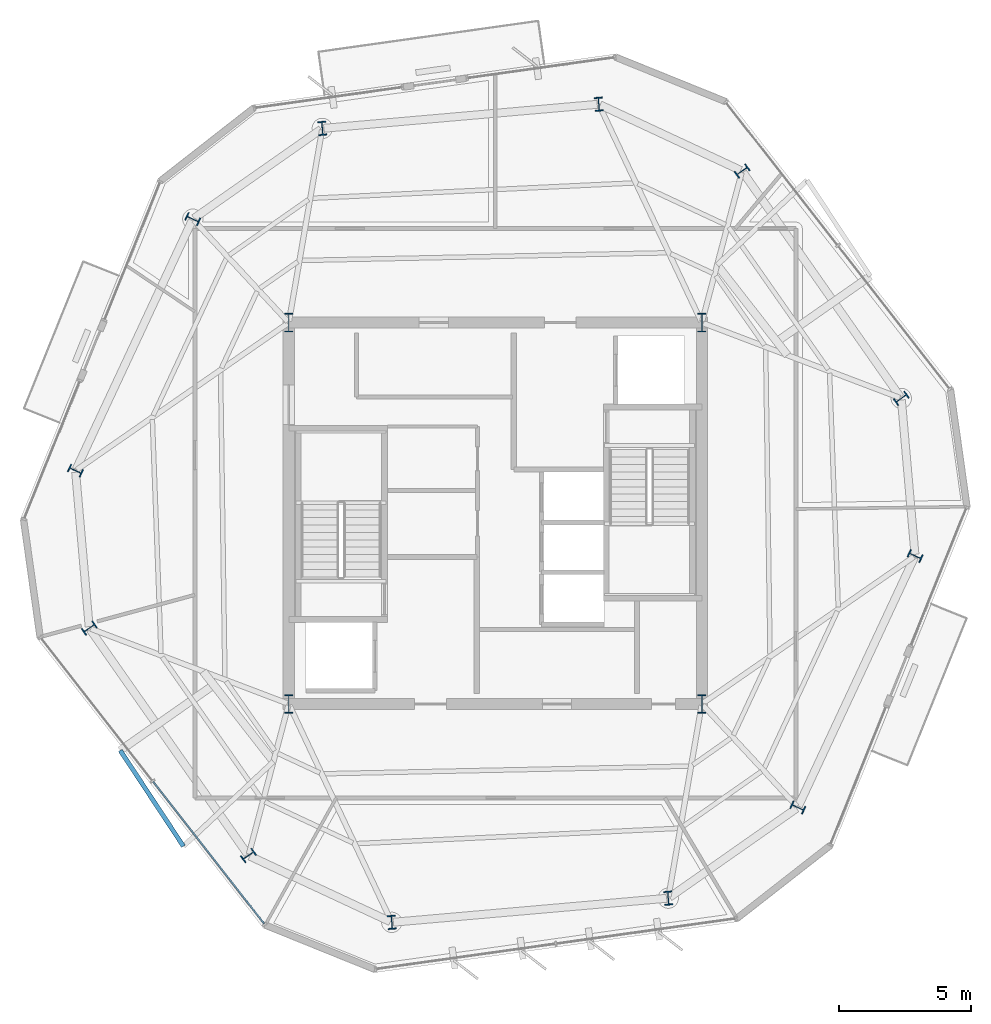
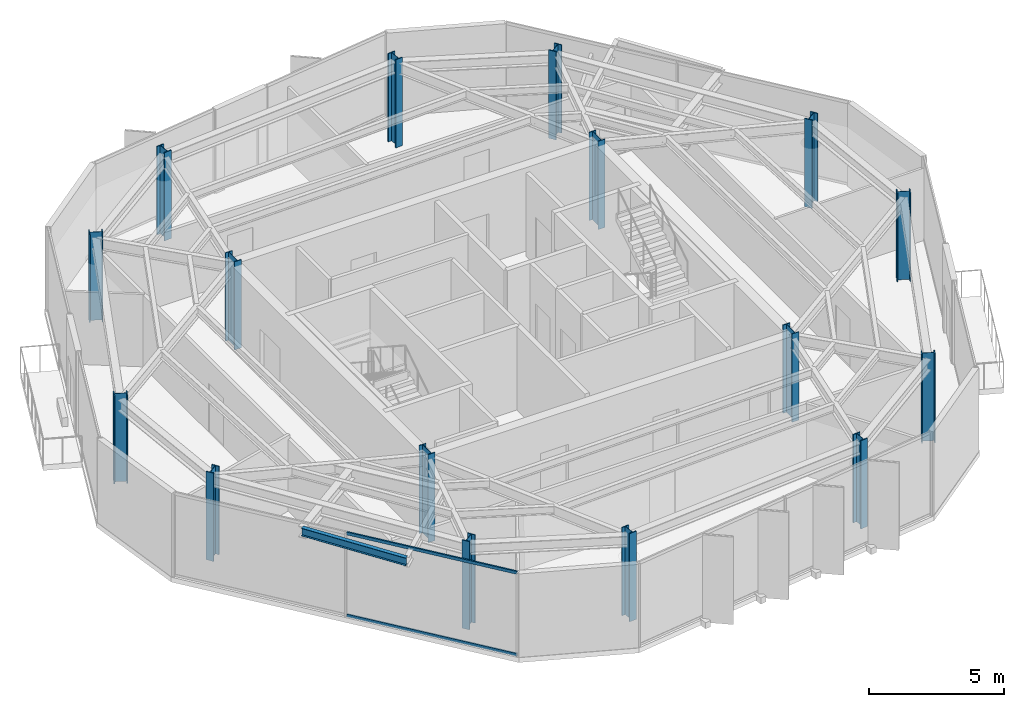
# One storey, part 1 of 11: 16 columns, 2 members, 1 beam, 1 element without a shape of its own.
"""IFC4 building model written with IfcOpenShell, lengths in metres."""

import ifcopenshell
import ifcopenshell.guid

model = None  # the IFC model being written
_history = None  # IfcOwnerHistory: only IFC2X3 demands one
_inside = {}  # id of a spatial element -> (the spatial element, [elements in it])
_under = {}  # id of a project, library or spatial element -> (it, [spatial elements below it])
_declared = {}  # id of a project -> (the project, [libraries it declares])
_typed = {}  # id of a type object -> (the type object, [elements of that type])
_made_of = {}  # id of a material, layer set ... -> (it, [elements and type objects made of it])


def new_model(schema):
    """Start an empty IFC model of exactly this schema.

    Asked for "IFC4X3", IfcOpenShell would pick the latest addendum, in which some entities
    have other attributes; the version numbers below select the first issue.
    IFC2X3 requires an IfcOwnerHistory on every rooted entity: one is made here for all.
    """
    global model, _history
    if schema == "IFC4X3":
        model = ifcopenshell.file(schema_version=(4, 3, 0, 0))
    else:
        model = ifcopenshell.file(schema=schema)
    _inside.clear()
    _under.clear()
    _declared.clear()
    _typed.clear()
    _made_of.clear()
    _history = None
    if model.schema == "IFC2X3":
        org = make("IfcOrganization", Name="unknown")
        user = make(
            "IfcPersonAndOrganization",
            ThePerson=make("IfcPerson", FamilyName="unknown"),
            TheOrganization=org,
        )
        app = make(
            "IfcApplication",
            ApplicationDeveloper=org,
            Version="unknown",
            ApplicationFullName="unknown",
            ApplicationIdentifier="unknown",
        )
        _history = make(
            "IfcOwnerHistory",
            OwningUser=user,
            OwningApplication=app,
            ChangeAction="ADDED",
            CreationDate=0,
        )
    return model


def make(cls, **values):
    """One entity of the class cls with the attributes given. An attribute that is None is left unset."""
    return model.create_entity(
        cls, **{name: value for name, value in values.items() if value is not None}
    )


def rooted(cls, **values):
    """An entity with a GlobalId (a new one), such as an element, a storey or a relation."""
    return make(cls, GlobalId=ifcopenshell.guid.new(), OwnerHistory=_history, **values)


def si_unit(unit_type, name, prefix=None):
    """IfcSIUnit, for example si_unit("LENGTHUNIT", "METRE", prefix="MILLI")."""
    return make("IfcSIUnit", UnitType=unit_type, Prefix=prefix, Name=name)


def assignment(units):
    """IfcUnitAssignment: the units of a project."""
    return None if units is None else make("IfcUnitAssignment", Units=units)


def point(xyz):
    """IfcCartesianPoint."""
    return None if xyz is None else make("IfcCartesianPoint", Coordinates=xyz)


def direction(xyz):
    """IfcDirection."""
    return None if xyz is None else make("IfcDirection", DirectionRatios=xyz)


def frame(location, z_axis=None, x_axis=None):
    """IfcAxis2Placement3D, a coordinate frame: its origin and axes. An axis left out is left unset."""
    return make(
        "IfcAxis2Placement3D",
        Location=point(location),
        Axis=direction(z_axis),
        RefDirection=direction(x_axis),
    )


def frame_2d(location, x_axis=None):
    """IfcAxis2Placement2D, a coordinate frame in the plane: its origin and x axis."""
    return make(
        "IfcAxis2Placement2D", Location=point(location), RefDirection=direction(x_axis)
    )


def origin():
    """The frame at (0, 0, 0) with its axes left unset."""
    return frame((0.0, 0.0, 0.0))


def origin_2d():
    """The frame at (0, 0) in the plane with its x axis left unset."""
    return frame_2d((0.0, 0.0))


def place(relative_to, where):
    """IfcLocalPlacement: puts the frame where relative to a parent placement (None: the world)."""
    return make(
        "IfcLocalPlacement", PlacementRelTo=relative_to, RelativePlacement=where
    )


def context(
    kind, dimensions, precision=None, world=None, true_north=None, identifier=None
):
    """IfcGeometricRepresentationContext, for example the 3D "Model" context."""
    return make(
        "IfcGeometricRepresentationContext",
        ContextIdentifier=identifier,
        ContextType=kind,
        CoordinateSpaceDimension=dimensions,
        Precision=precision,
        WorldCoordinateSystem=world,
        TrueNorth=true_north,
    )


def subcontext(parent, identifier, kind, view, scale=None):
    """IfcGeometricRepresentationSubContext, for example "Body" below "Model"."""
    return make(
        "IfcGeometricRepresentationSubContext",
        ContextIdentifier=identifier,
        ContextType=kind,
        ParentContext=parent,
        TargetScale=scale,
        TargetView=view,
    )


def project(units=None, contexts=None):
    """IfcProject with its units and contexts."""
    return rooted(
        "IfcProject",
        Name="project",
        RepresentationContexts=contexts,
        UnitsInContext=assignment(units),
    )


def spatial(cls, under=None, at=None, **own):
    """A site, building, storey or space (cls), placed at a placement, below another one or the project."""
    s = rooted(cls, ObjectPlacement=at, **own)
    if under is not None:
        _under.setdefault(under.id(), (under, []))[1].append(s)
    return s


def profile(cls, at=None, kind="AREA", **sizes):
    """A parametric profile (cls). Its sizes go by their IFC names, for example OverallWidth=200.0."""
    return make(cls, ProfileType=kind, Position=at, **sizes)


def rectangle(**sizes):
    """IfcRectangleProfileDef."""
    return profile("IfcRectangleProfileDef", **sizes)


def i_section(**sizes):
    """IfcIShapeProfileDef."""
    return profile("IfcIShapeProfileDef", **sizes)


def extrude(swept, where, along, depth):
    """IfcExtrudedAreaSolid: the profile swept, set in the frame where, extruded along a direction by depth."""
    return make(
        "IfcExtrudedAreaSolid",
        SweptArea=swept,
        Position=where,
        ExtrudedDirection=direction(along),
        Depth=depth,
    )


def shape(context_of_items, identifier, shape_type, items):
    """IfcShapeRepresentation: the items that make up one representation, for example the "Body"."""
    return make(
        "IfcShapeRepresentation",
        ContextOfItems=context_of_items,
        RepresentationIdentifier=identifier,
        RepresentationType=shape_type,
        Items=items,
    )


def material(Name=None, Category=None):
    """IfcMaterial."""
    return make("IfcMaterial", Name=Name, Category=Category)


def layer(
    of_material, thickness, ventilated=None, Name=None, Category=None, Priority=None
):
    """IfcMaterialLayer: one layer of a wall or slab, of a material (None: an air gap)."""
    return make(
        "IfcMaterialLayer",
        Material=of_material,
        LayerThickness=thickness,
        IsVentilated=ventilated,
        Name=Name,
        Category=Category,
        Priority=Priority,
    )


def layer_set(layers, Name=None):
    """IfcMaterialLayerSet."""
    return make("IfcMaterialLayerSet", MaterialLayers=layers, LayerSetName=Name)


def material_profile(
    of_material, cross_section, Name=None, Category=None, Priority=None
):
    """IfcMaterialProfile: a cross section and its material."""
    return make(
        "IfcMaterialProfile",
        Name=Name,
        Material=of_material,
        Profile=cross_section,
        Priority=Priority,
        Category=Category,
    )


def profile_set(profiles, Name=None, composite=None):
    """IfcMaterialProfileSet."""
    return make(
        "IfcMaterialProfileSet",
        Name=Name,
        MaterialProfiles=profiles,
        CompositeProfile=composite,
    )


def made_of(thing, what):
    """Note that an element or type object is made of a material, layer set ...; save() writes the relation."""
    if what is not None:
        _made_of.setdefault(what.id(), (what, []))[1].append(thing)
    return thing


def type_object(cls, material=None, **own):
    """A type object (cls), such as IfcWallType, which elements share."""
    return made_of(rooted(cls, **own), material)


def element(
    cls,
    number,
    at=None,
    inside=None,
    cuts=None,
    type_object=None,
    material=None,
    context=None,
    identifier="Body",
    shape_type=None,
    held_by="IfcProductDefinitionShape",
    body=None,
    shapes=None,
    **own,
):
    """One element of the class cls, such as IfcWall. Its Tag is "e" and its number.

    at: its placement. inside: the storey or other place that contains it. cuts: it is an
    opening in that element (IfcRelVoidsElement). A single representation is given by context,
    identifier, shape_type and body (its items); several are given by shapes. held_by: the class
    of the entity that holds the representations. save() writes the other relations.
    """
    e = rooted(cls, Tag="e%d" % number, ObjectPlacement=at, **own)
    if body is not None:
        shapes = [shape(context, identifier, shape_type, body)]
    if shapes is not None:
        e.Representation = make(held_by, Representations=shapes)
    if inside is not None:
        _inside.setdefault(inside.id(), (inside, []))[1].append(e)
    if cuts is not None:
        rooted(
            "IfcRelVoidsElement", RelatingBuildingElement=cuts, RelatedOpeningElement=e
        )
    if type_object is not None:
        _typed.setdefault(type_object.id(), (type_object, []))[1].append(e)
    return made_of(e, material)


def aggregate(whole, parts):
    """IfcRelAggregates: a whole, such as a stair, and the parts it consists of."""
    return rooted("IfcRelAggregates", RelatingObject=whole, RelatedObjects=parts)


def save(model, path):
    """Write the relations noted so far, then the file.

    IfcRelAggregates (storeys below a building ...), IfcRelContainedInSpatialStructure (elements
    in a storey), IfcRelDefinesByType, IfcRelAssociatesMaterial and IfcRelDeclares: one each for
    every whole, place, type object, material and project.
    """
    for whole, parts in _under.values():
        aggregate(whole, parts)
    for where, things in _inside.values():
        rooted(
            "IfcRelContainedInSpatialStructure",
            RelatedElements=things,
            RelatingStructure=where,
        )
    for kind, things in _typed.values():
        rooted("IfcRelDefinesByType", RelatedObjects=things, RelatingType=kind)
    for what, things in _made_of.values():
        rooted("IfcRelAssociatesMaterial", RelatedObjects=things, RelatingMaterial=what)
    for by, libraries in _declared.values():
        rooted("IfcRelDeclares", RelatingContext=by, RelatedDefinitions=libraries)
    model.write(path)


model = new_model("IFC4")

# Units and contexts
model_context = context("Model", 3, precision=1e-05, world=origin(), true_north=direction((0.0, 1.0)))
body_context = subcontext(model_context, "Body", "Model", "MODEL_VIEW")
ifc_project = project(units=[si_unit("LENGTHUNIT", "METRE"), si_unit("AREAUNIT", "SQUARE_METRE"), si_unit("VOLUMEUNIT", "CUBIC_METRE"), si_unit("PLANEANGLEUNIT", "RADIAN"), si_unit("MASSUNIT", "GRAM", prefix="KILO")], contexts=[model_context])

# Site, building, storey
site_placement = place(None, origin())
site = spatial("IfcSite", under=ifc_project, at=site_placement, CompositionType="ELEMENT")
building_placement = place(site_placement, origin())
building = spatial("IfcBuilding", under=site, at=building_placement, Name="Kranzbogen Civic Tower", CompositionType="ELEMENT")
storey_placement = place(building_placement, frame((0.0, 0.0, 298.199951171875)))
storey = spatial("IfcBuildingStorey", under=building, at=storey_placement, Name="L72", CompositionType="ELEMENT", Elevation=298.199951171875)

# Columns
ifc_material_1 = material(Name="Steel S355", Category="steel")
ifc_material_profile_1 = material_profile(ifc_material_1, i_section(OverallWidth=0.300048828125, OverallDepth=0.699951171875, WebThickness=0.01708984375, FlangeThickness=0.031982421875, at=origin_2d()), Name="HEB 700")
ifc_profile_set_1 = profile_set([ifc_material_profile_1], Name="Steel S355")
column_type_1 = type_object("IfcColumnType", Name="Structural Column HEB 700", PredefinedType="COLUMN", material=ifc_profile_set_1)
for number, where, z_axis, x_axis, name in (
    (1, (17.199951171875, 17.800048828125, 0.0), (0.0, 0.0, 1.0), (1.0, 0.0, 0.0), "L72 composite core corner column 1"),
    (2, (32.800048828125, 17.800048828125, 0.0), (0.0, 0.0, 1.0), (1.0, 0.0, 0.0), "L72 composite core corner column 2"),
    (3, (32.800048828125, 32.199951171875, 0.0), (0.0, 0.0, 1.0), (1.0, 0.0, 0.0), "L72 composite core corner column 3"),
    (4, (17.199951171875, 32.199951171875, 0.0), (0.0, 0.0, 1.0), (1.0, 0.0, 0.0), "L72 composite core corner column 4"),
):
    element("IfcColumn", number, at=place(storey_placement, frame(where, z_axis=z_axis, x_axis=x_axis)), inside=storey, type_object=column_type_1, Name=name, PredefinedType="COLUMN", context=body_context, shape_type="SweptSolid", body=[
        extrude(i_section(OverallWidth=0.300048828125, OverallDepth=0.699951171875, WebThickness=0.01708984375, FlangeThickness=0.031982421875, at=origin_2d()), origin(), (0.0, 0.0, 1.0), 4.0),
    ])
ifc_material_profile_2 = material_profile(ifc_material_1, i_section(OverallWidth=0.305908203125, OverallDepth=0.52392578125, WebThickness=0.02099609375, FlangeThickness=0.0400390625, at=origin_2d()), Name="HEM 500")
ifc_profile_set_2 = profile_set([ifc_material_profile_2], Name="Steel S355")
column_type_2 = type_object("IfcColumnType", Name="Structural Column HEM 500", PredefinedType="COLUMN", material=ifc_profile_set_2)
for number, where, z_axis, x_axis, name in (
    (5, (28.908935546875, 40.449951171875, 0.0), (0.0, 0.0, 1.0), (0.996194698092, 0.087155742748, 0.0), "L72 tower perimeter tube column 01"),
    (6, (18.467041015625, 39.535888671875, 0.0), (0.0, 0.0, 1.0), (0.996194698092, 0.087155742748, 0.0), "L72 tower perimeter tube column 02"),
    (7, (13.574951171875, 36.110107421875, 0.0), (0.0, 0.0, 1.0), (0.422618261741, 0.906307787037, 0.0), "L72 tower perimeter tube column 03"),
    (8, (9.14501953125, 26.610107421875, 0.0), (0.0, 0.0, 1.0), (0.422618261741, 0.906307787037, 0.0), "L72 tower perimeter tube column 04"),
    (9, (9.666015625, 20.660888671875, 0.0), (0.0, 0.0, 1.0), (-0.573576436351, 0.819152044289, 0.0), "L72 tower perimeter tube column 05"),
    (10, (15.677978515625, 12.073974609375, 0.0), (0.0, 0.0, 1.0), (-0.573576436351, 0.819152044289, 0.0), "L72 tower perimeter tube column 06"),
    (11, (21.091064453125, 9.550048828125, 0.0), (0.0, 0.0, 1.0), (0.996194698092, 0.087155742748, 0.0), "L72 tower perimeter tube column 07"),
    (12, (31.532958984375, 10.464111328125, 0.0), (0.0, 0.0, 1.0), (0.996194698092, 0.087155742748, 0.0), "L72 tower perimeter tube column 08"),
    (13, (36.425048828125, 13.889892578125, 0.0), (0.0, 0.0, 1.0), (0.422618261741, 0.906307787037, 0.0), "L72 tower perimeter tube column 09"),
    (14, (40.85498046875, 23.389892578125, 0.0), (0.0, 0.0, 1.0), (0.422618261741, 0.906307787037, 0.0), "L72 tower perimeter tube column 10"),
    (15, (40.333984375, 29.339111328125, 0.0), (0.0, 0.0, 1.0), (-0.573576436351, 0.819152044289, 0.0), "L72 tower perimeter tube column 11"),
    (16, (34.322021484375, 37.926025390625, 0.0), (0.0, 0.0, 1.0), (-0.573576436351, 0.819152044289, 0.0), "L72 tower perimeter tube column 12"),
):
    element("IfcColumn", number, at=place(storey_placement, frame(where, z_axis=z_axis, x_axis=x_axis)), inside=storey, type_object=column_type_2, Name=name, PredefinedType="COLUMN", context=body_context, shape_type="SweptSolid", body=[
        extrude(i_section(OverallWidth=0.305908203125, OverallDepth=0.52392578125, WebThickness=0.02099609375, FlangeThickness=0.0400390625, at=origin_2d()), origin(), (0.0, 0.0, 1.0), 4.0),
    ])

# Curtain wall, members
ifc_material_2 = material(Name="Pale Anodised Aluminium", Category="aluminium")
ifc_layer = layer(ifc_material_2, 0.219970703125, Name="Pale Anodised Aluminium")
ifc_layer_set = layer_set([ifc_layer], Name="Pale Anodised Aluminium")
curtain_wall_type = type_object("IfcCurtainWallType", Name="Zone 4 Stick Curtain Wall System CW-05", PredefinedType="USERDEFINED", material=ifc_layer_set)
curtain_wall_placement = place(storey_placement, origin())
curtain_wall = element("IfcCurtainWall", 17, at=curtain_wall_placement, inside=storey, type_object=curtain_wall_type, Name="L72 curtain wall CW-L72-F3", ObjectType="STICK CURTAIN WALL", PredefinedType="USERDEFINED")
ifc_material_profile_3 = material_profile(ifc_material_2, rectangle(XDim=0.06494140625, YDim=0.135009765625, at=origin_2d()), Name="ALU-T 65x135")
ifc_profile_set_3 = profile_set([ifc_material_profile_3], Name="Pale Anodised Aluminium")
member_type = type_object("IfcMemberType", Name="Curtain Wall Transom ALU-T 65x135", PredefinedType="USERDEFINED", material=ifc_profile_set_3)
member_1_placement = place(storey_placement, frame((12.078369140625, 14.866943359375, 0.030029296875), z_axis=(0.615673248113, -0.788001555556, 0.0), x_axis=(0.788001555556, 0.615673248113, 0.0)))
member_1 = element("IfcMember", 18, at=member_1_placement, type_object=member_type, Name="CW-05 transom 2.1", ObjectType="TRANSOM", PredefinedType="USERDEFINED", context=body_context, shape_type="SweptSolid", body=[
    extrude(rectangle(XDim=0.06494140625, YDim=0.135009765625, at=origin_2d()), origin(), (0.0, 0.0, 1.0), 6.81298828125),
])
member_2_placement = place(storey_placement, frame((12.078369140625, 14.866943359375, 3.75), z_axis=(0.615673248113, -0.788001555556, 0.0), x_axis=(0.788001555556, 0.615673248113, 0.0)))
member_2 = element("IfcMember", 19, at=member_2_placement, type_object=member_type, Name="CW-05 transom 2.2", ObjectType="TRANSOM", PredefinedType="USERDEFINED", context=body_context, shape_type="SweptSolid", body=[
    extrude(rectangle(XDim=0.06494140625, YDim=0.135009765625, at=origin_2d()), origin(), (0.0, 0.0, 1.0), 6.81298828125),
])
aggregate(curtain_wall, [member_1, member_2])

# Beam
ifc_material_profile_4 = material_profile(ifc_material_1, i_section(OverallWidth=0.169921875, OverallDepth=0.360107421875, WebThickness=0.008056640625, FlangeThickness=0.0126953125, at=origin_2d()), Name="IPE 360")
ifc_profile_set_4 = profile_set([ifc_material_profile_4], Name="Steel S355")
beam_type = type_object("IfcBeamType", Name="Secondary Composite Floor Joist IPE 360", PredefinedType="JOIST", material=ifc_profile_set_4)
beam_placement = place(storey_placement, frame((10.8349609375, 16.0439453125, 3.570068359375), z_axis=(0.550339236692, -0.834941150356, 0.0), x_axis=(0.834941150356, 0.550339236692, 0.0)))
element("IfcBeam", 20, at=beam_placement, inside=storey, type_object=beam_type, Name="L73 terrace outer edge trimmer L73-TB2", PredefinedType="JOIST", context=body_context, shape_type="SweptSolid", body=[
    extrude(i_section(OverallWidth=0.169921875, OverallDepth=0.360107421875, WebThickness=0.008056640625, FlangeThickness=0.0126953125, at=origin_2d()), origin(), (0.0, 0.0, 1.0), 4.33544921875),
])

save(model, "model.ifc")
